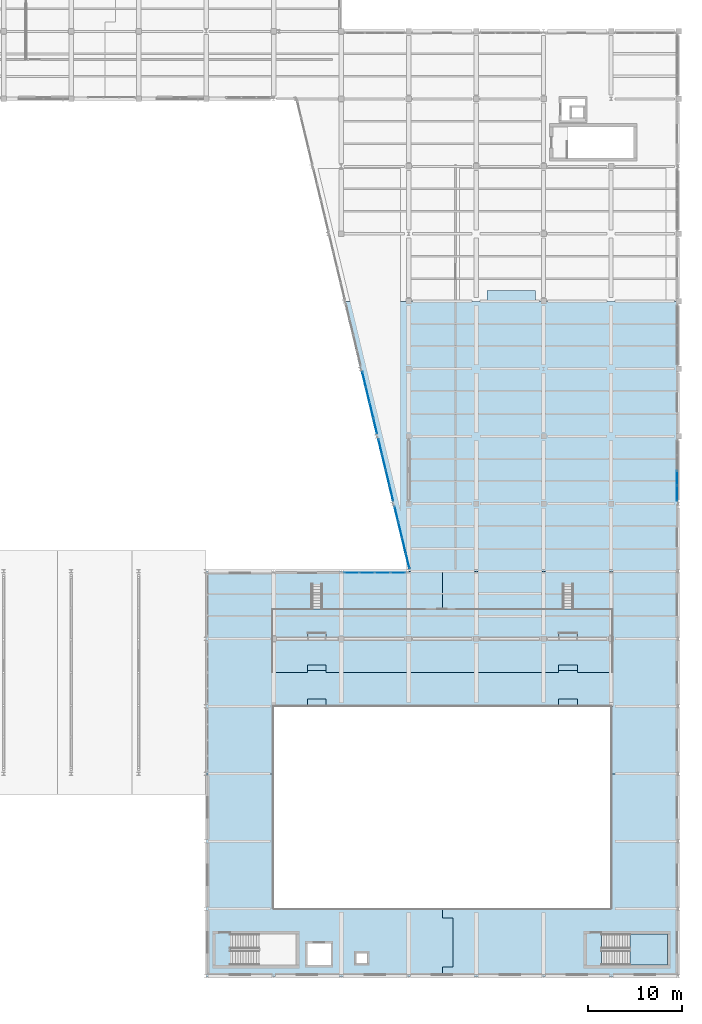
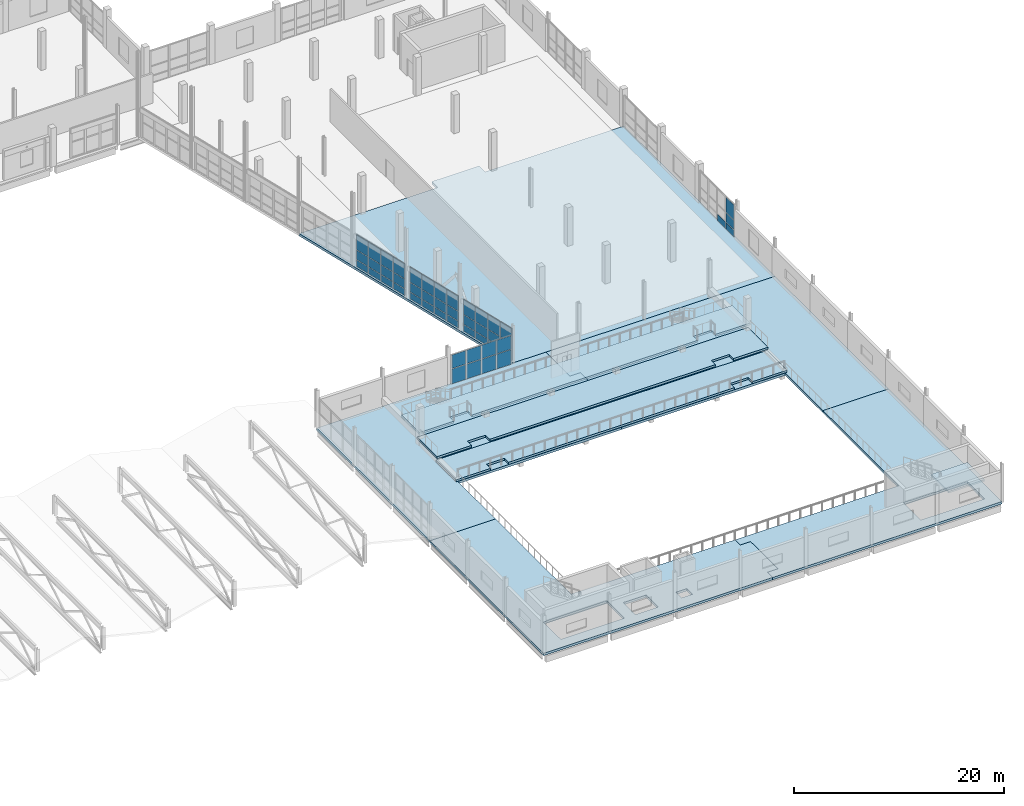
# One storey, part 78 of 123: 48 plates, 9 slabs, 6 elements without a shape of their own.
"""IFC4 building model written with IfcOpenShell, lengths in metres."""

from ifc_helpers import new_model, si_unit, direction, frame, origin, origin_2d, place, context, subcontext, project, spatial, polyline, rectangle, outline, extrude, material, layer, layer_set, type_object, element, aggregate, save


model = new_model("IFC4")

# Units and contexts
model_context = context("Model", 3, precision=1e-05, world=origin(), true_north=direction((0.0, 1.0)))
body_context = subcontext(model_context, "Body", "Model", "MODEL_VIEW")
ifc_project = project(units=[si_unit("LENGTHUNIT", "METRE"), si_unit("AREAUNIT", "SQUARE_METRE"), si_unit("VOLUMEUNIT", "CUBIC_METRE"), si_unit("PLANEANGLEUNIT", "RADIAN"), si_unit("MASSUNIT", "GRAM", prefix="KILO")], contexts=[model_context])

# Site, building, storey
site_placement = place(None, origin())
site = spatial("IfcSite", under=ifc_project, at=site_placement, CompositionType="ELEMENT")
building_placement = place(site_placement, origin())
building = spatial("IfcBuilding", under=site, at=building_placement, Name="Kalmorath City Hall", CompositionType="ELEMENT")
storey_placement = place(building_placement, frame((0.0, 0.0, 10.199951171875)))
storey = spatial("IfcBuildingStorey", under=building, at=storey_placement, Name="L02", CompositionType="ELEMENT", Elevation=10.199951171875)

# Slabs
ifc_material_1 = material(Name="Concrete C40/50", Category="concrete")
ifc_layer_1 = layer(ifc_material_1, 0.280029296875)
ifc_layer_set_1 = layer_set([ifc_layer_1], Name="Concrete C40/50")
slab_type_1 = type_object("IfcSlabType", Name="Concrete composite floor slab 280", PredefinedType="FLOOR", material=ifc_layer_set_1)
slab_1_placement = place(storey_placement, frame((0.0, 0.0, -0.280029296875)))
element("IfcSlab", 1, at=slab_1_placement, inside=storey, type_object=slab_type_1, Name="L02 Council Chamber Pavilion slab FS2-1", PredefinedType="FLOOR", context=body_context, shape_type="SweptSolid", body=[
    extrude(outline(polyline([(115.199951171875, 21.60009765625), (122.39990234375, 21.60009765625), (122.39990234375, 7.199951171875), (140.39990234375, 7.199951171875), (140.39990234375, 6.199951171875), (141.550048828125, 6.199951171875), (141.550048828125, 1.0), (140.39990234375, 1.0), (140.39990234375, 0.0), (115.199951171875, 0.0), (115.199951171875, 21.60009765625)]), holes=[polyline([(117.7900390625, 4.5), (117.7900390625, 1.199951171875), (124.800048828125, 1.199951171875), (124.800048828125, 4.5), (117.7900390625, 4.5)]), polyline([(128.5, 3.5), (126.0, 3.5), (126.0, 1.199951171875), (128.5, 1.199951171875), (128.5, 3.5)]), polyline([(131.199951171875, 1.39990234375), (132.39990234375, 1.39990234375), (132.39990234375, 2.47998046875), (131.199951171875, 2.47998046875), (131.199951171875, 1.39990234375)])]), origin(), (0.0, 0.0, 1.0), 0.280029296875),
])
slab_2_placement = place(storey_placement, frame((0.0, 0.0, -0.280029296875)))
element("IfcSlab", 2, at=slab_2_placement, inside=storey, type_object=slab_type_1, Name="L02 Council Chamber Pavilion slab FS2-2", PredefinedType="FLOOR", context=body_context, shape_type="SweptSolid", body=[
    extrude(outline(polyline([(140.39990234375, 0.0), (140.39990234375, 1.0), (141.550048828125, 1.0), (141.550048828125, 6.199951171875), (140.39990234375, 6.199951171875), (140.39990234375, 7.199951171875), (158.39990234375, 7.199951171875), (158.39990234375, 21.60009765625), (165.60009765625, 21.60009765625), (165.60009765625, 0.0), (140.39990234375, 0.0)]), holes=[polyline([(164.39990234375, 1.199951171875), (164.39990234375, 4.5), (157.389892578125, 4.5), (157.389892578125, 1.199951171875), (164.39990234375, 1.199951171875)])]), origin(), (0.0, 0.0, 1.0), 0.280029296875),
])
slab_3_placement = place(storey_placement, frame((0.0, 0.0, -0.280029296875)))
element("IfcSlab", 3, at=slab_3_placement, inside=storey, type_object=slab_type_1, Name="L02 Council Chamber Pavilion slab FS2-3", PredefinedType="FLOOR", context=body_context, shape_type="SweptSolid", body=[
    extrude(outline(polyline([(140.39990234375, 43.199951171875), (140.39990234375, 38.60009765625), (141.550048828125, 38.60009765625), (141.550048828125, 33.39990234375), (140.39990234375, 33.39990234375), (140.39990234375, 28.800048828125), (122.39990234375, 28.800048828125), (122.39990234375, 21.60009765625), (115.199951171875, 21.60009765625), (115.199951171875, 43.199951171875), (140.39990234375, 43.199951171875)])), origin(), (0.0, 0.0, 1.0), 0.280029296875),
])
slab_4_placement = place(storey_placement, frame((0.0, 0.0, -0.280029296875)))
element("IfcSlab", 4, at=slab_4_placement, inside=storey, type_object=slab_type_1, Name="L02 Council Chamber Pavilion slab FS2-4", PredefinedType="FLOOR", context=body_context, shape_type="SweptSolid", body=[
    extrude(outline(polyline([(158.39990234375, 21.60009765625), (158.39990234375, 28.800048828125), (140.39990234375, 28.800048828125), (140.39990234375, 33.39990234375), (141.550048828125, 33.39990234375), (141.550048828125, 38.60009765625), (140.39990234375, 38.60009765625), (140.39990234375, 43.199951171875), (165.60009765625, 43.199951171875), (165.60009765625, 21.60009765625), (158.39990234375, 21.60009765625)])), origin(), (0.0, 0.0, 1.0), 0.280029296875),
])
slab_5_placement = place(storey_placement, frame((0.0, 0.0, -0.280029296875)))
element("IfcSlab", 5, at=slab_5_placement, inside=storey, type_object=slab_type_1, Name="L02 Members Library Pavilion slab FS2-1", PredefinedType="FLOOR", context=body_context, shape_type="SweptSolid", body=[
    extrude(outline(polyline([(136.800048828125, 43.199951171875), (129.885498046875, 72.0), (145.142822265625, 72.0), (145.142822265625, 73.14990234375), (150.3427734375, 73.14990234375), (150.3427734375, 72.0), (165.60009765625, 72.0), (165.60009765625, 43.199951171875), (136.800048828125, 43.199951171875)])), origin(), (0.0, 0.0, 1.0), 0.280029296875),
])
ifc_material_2 = material(Name="Concrete C40/50", Category="concrete")
ifc_layer_2 = layer(ifc_material_2, 0.239990234375)
ifc_layer_set_2 = layer_set([ifc_layer_2], Name="Concrete C40/50")
slab_type_2 = type_object("IfcSlabType", Name="Concrete raked seating tier slab 240", PredefinedType="USERDEFINED", material=ifc_layer_set_2)
slab_6_placement = place(storey_placement, frame((0.0, 0.0, 0.010009765625)))
element("IfcSlab", 6, at=slab_6_placement, inside=storey, type_object=slab_type_2, Name="L02 Public Gallery raked seating tier T1", ObjectType="SEATING TIER", PredefinedType="USERDEFINED", context=body_context, shape_type="SweptSolid", body=[
    extrude(outline(polyline([(122.199951171875, 28.800048828125), (126.0, 28.800048828125), (126.0, 29.60009765625), (128.0, 29.60009765625), (128.0, 28.800048828125), (152.800048828125, 28.800048828125), (152.800048828125, 29.60009765625), (154.800048828125, 29.60009765625), (154.800048828125, 28.800048828125), (158.60009765625, 28.800048828125), (158.60009765625, 32.60009765625), (122.199951171875, 32.60009765625), (122.199951171875, 28.800048828125)])), origin(), (0.0, 0.0, 1.0), 0.239990234375),
])
slab_7_placement = place(storey_placement, frame((0.0, 0.0, 0.510009765625)))
element("IfcSlab", 7, at=slab_7_placement, inside=storey, type_object=slab_type_2, Name="L02 Public Gallery raked seating tier T2", ObjectType="SEATING TIER", PredefinedType="USERDEFINED", context=body_context, shape_type="SweptSolid", body=[
    extrude(outline(polyline([(122.199951171875, 32.39990234375), (126.0, 32.39990234375), (126.0, 33.199951171875), (128.0, 33.199951171875), (128.0, 32.39990234375), (152.800048828125, 32.39990234375), (152.800048828125, 33.199951171875), (154.800048828125, 33.199951171875), (154.800048828125, 32.39990234375), (158.60009765625, 32.39990234375), (158.60009765625, 36.199951171875), (122.199951171875, 36.199951171875), (122.199951171875, 32.39990234375)])), origin(), (0.0, 0.0, 1.0), 0.239990234375),
])
slab_8_placement = place(storey_placement, frame((0.0, 0.0, 1.260009765625)))
element("IfcSlab", 8, at=slab_8_placement, inside=storey, type_object=slab_type_2, Name="L02 Public Gallery raked seating tier T3", ObjectType="SEATING TIER", PredefinedType="USERDEFINED", context=body_context, shape_type="SweptSolid", body=[
    extrude(outline(polyline([(122.199951171875, 35.800048828125), (126.0, 35.800048828125), (126.0, 36.60009765625), (128.0, 36.60009765625), (128.0, 35.800048828125), (152.800048828125, 35.800048828125), (152.800048828125, 36.60009765625), (154.800048828125, 36.60009765625), (154.800048828125, 35.800048828125), (158.60009765625, 35.800048828125), (158.60009765625, 39.199951171875), (122.199951171875, 39.199951171875), (122.199951171875, 35.800048828125)])), origin(), (0.0, 0.0, 1.0), 0.239990234375),
])

# Stair, slab
ifc_material_3 = material(Name="Concrete C40/50", Category="concrete")
stair_type = type_object("IfcStairType", Name="Dogleg concrete exit stair 24R x 188mm W1550", PredefinedType="HALF_TURN_STAIR", material=ifc_material_3)
stair_placement = place(storey_placement, origin())
stair = element("IfcStair", 9, at=stair_placement, inside=storey, type_object=stair_type, Name="L02 Protected exit stair ST-7", PredefinedType="HALF_TURN_STAIR")
ifc_material_4 = material(Name="Concrete C40/50", Category="concrete")
ifc_layer_3 = layer(ifc_material_4, 0.199951171875)
ifc_layer_set_3 = layer_set([ifc_layer_3], Name="Concrete C40/50")
slab_type_3 = type_object("IfcSlabType", Name="Concrete stair half-landing slab 200", PredefinedType="LANDING", material=ifc_layer_set_3)
slab_9_placement = place(storey_placement, frame((0.0, 0.0, 2.050048828125)))
slab_9 = element("IfcSlab", 10, at=slab_9_placement, type_object=slab_type_3, Name="ST-7 landing 1", PredefinedType="LANDING", context=body_context, shape_type="SweptSolid", body=[
    extrude(outline(polyline([(160.429931640625, 1.199951171875), (164.39990234375, 1.199951171875), (164.39990234375, 4.5), (160.429931640625, 4.5), (160.429931640625, 1.199951171875)])), origin(), (0.0, 0.0, 1.0), 0.199951171875),
])
aggregate(stair, [slab_9])

# Curtain wall, plates
ifc_material_5 = material(Name="Anodised aluminium and laminated glass", Category="aluminium")
curtain_wall_type_1 = type_object("IfcCurtainWallType", Name="Unitised hurricane curtain wall 6544x3835 M1850", PredefinedType="NOTDEFINED", material=ifc_material_5)
curtain_wall_1_placement = place(storey_placement, origin())
curtain_wall_1 = element("IfcCurtainWall", 11, at=curtain_wall_1_placement, inside=storey, type_object=curtain_wall_type_1, Name="L02 curtain wall CW-65X38M18 #120", PredefinedType="NOTDEFINED")
ifc_material_6 = material(Name="Hurricane laminated low-E glass", Category="glass")
ifc_layer_4 = layer(ifc_material_6, 0.035888671875)
ifc_layer_set_4 = layer_set([ifc_layer_4], Name="Hurricane laminated low-E glass")
plate_type = type_object("IfcPlateType", Name="Library acoustic low-E glazed panel 36", PredefinedType="CURTAIN_PANEL", material=ifc_layer_set_4)
plate_1_placement = place(storey_placement, frame((165.43994140625, 53.120361328125, 0.06005859375), z_axis=(0.0, 0.0, 1.0), x_axis=(0.0, -1.0, 0.0)))
plate_1 = element("IfcPlate", 12, at=plate_1_placement, type_object=plate_type, Name="CW-65X38M18 panel 3.1", PredefinedType="CURTAIN_PANEL", context=body_context, shape_type="SweptSolid", body=[
    extrude(rectangle(XDim=1.560791015625, YDim=0.035888671875, at=origin_2d()), origin(), (0.0, 0.0, 1.0), 0.760009765625),
])
plate_2_placement = place(storey_placement, frame((165.43994140625, 51.503173828125, 0.06005859375), z_axis=(0.0, 0.0, 1.0), x_axis=(0.0, -1.0, 0.0)))
plate_2 = element("IfcPlate", 13, at=plate_2_placement, type_object=plate_type, Name="CW-65X38M18 panel 4.1", PredefinedType="CURTAIN_PANEL", context=body_context, shape_type="SweptSolid", body=[
    extrude(rectangle(XDim=1.5234375, YDim=0.035888671875, at=origin_2d()), origin(), (0.0, 0.0, 1.0), 0.760009765625),
])
plate_3_placement = place(storey_placement, frame((165.43994140625, 51.503173828125, 0.880126953125), z_axis=(0.0, 0.0, 1.0), x_axis=(0.0, -1.0, 0.0)))
plate_3 = element("IfcPlate", 14, at=plate_3_placement, type_object=plate_type, Name="CW-65X38M18 panel 4.2", PredefinedType="CURTAIN_PANEL", context=body_context, shape_type="SweptSolid", body=[
    extrude(rectangle(XDim=1.5234375, YDim=0.035888671875, at=origin_2d()), origin(), (0.0, 0.0, 1.0), 1.083984375),
])
plate_4_placement = place(storey_placement, frame((165.43994140625, 51.503173828125, 2.024169921875), z_axis=(0.0, 0.0, 1.0), x_axis=(0.0, -1.0, 0.0)))
plate_4 = element("IfcPlate", 15, at=plate_4_placement, type_object=plate_type, Name="CW-65X38M18 panel 4.3", PredefinedType="CURTAIN_PANEL", context=body_context, shape_type="SweptSolid", body=[
    extrude(rectangle(XDim=1.5234375, YDim=0.035888671875, at=origin_2d()), origin(), (0.0, 0.0, 1.0), 1.7509765625),
])
aggregate(curtain_wall_1, [plate_1, plate_2, plate_3, plate_4])

ifc_material_7 = material(Name="Anodised aluminium and laminated glass", Category="aluminium")
curtain_wall_type_2 = type_object("IfcCurtainWallType", Name="Unitised hurricane curtain wall 6656x3471 M1850", PredefinedType="NOTDEFINED", material=ifc_material_7)
curtain_wall_2_placement = place(storey_placement, origin())
curtain_wall_2 = element("IfcCurtainWall", 16, at=curtain_wall_2_placement, inside=storey, type_object=curtain_wall_type_2, Name="L02 curtain wall CW-67X35M18 #124", PredefinedType="NOTDEFINED")
plate_5_placement = place(storey_placement, frame((130.72509765625, 43.0400390625, 0.06005859375), z_axis=(0.0, 0.0, 1.0), x_axis=(1.0, 0.0, 0.0)))
plate_5 = element("IfcPlate", 17, at=plate_5_placement, type_object=plate_type, Name="CW-67X35M18 panel 1.1", PredefinedType="CURTAIN_PANEL", context=body_context, shape_type="SweptSolid", body=[
    extrude(rectangle(XDim=1.55126953125, YDim=0.035888671875, at=origin_2d()), origin(), (0.0, 0.0, 1.0), 1.715087890625),
])
plate_6_placement = place(storey_placement, frame((130.72509765625, 43.0400390625, 1.8349609375), z_axis=(0.0, 0.0, 1.0), x_axis=(1.0, 0.0, 0.0)))
plate_6 = element("IfcPlate", 18, at=plate_6_placement, type_object=plate_type, Name="CW-67X35M18 panel 1.2", PredefinedType="CURTAIN_PANEL", context=body_context, shape_type="SweptSolid", body=[
    extrude(rectangle(XDim=1.55126953125, YDim=0.035888671875, at=origin_2d()), origin(), (0.0, 0.0, 1.0), 1.575927734375),
])
plate_7_placement = place(storey_placement, frame((132.370361328125, 43.0400390625, 0.06005859375), z_axis=(0.0, 0.0, 1.0), x_axis=(1.0, 0.0, 0.0)))
plate_7 = element("IfcPlate", 19, at=plate_7_placement, type_object=plate_type, Name="CW-67X35M18 panel 2.1", PredefinedType="CURTAIN_PANEL", context=body_context, shape_type="SweptSolid", body=[
    extrude(rectangle(XDim=1.5888671875, YDim=0.035888671875, at=origin_2d()), origin(), (0.0, 0.0, 1.0), 1.715087890625),
])
plate_8_placement = place(storey_placement, frame((132.370361328125, 43.0400390625, 1.8349609375), z_axis=(0.0, 0.0, 1.0), x_axis=(1.0, 0.0, 0.0)))
plate_8 = element("IfcPlate", 20, at=plate_8_placement, type_object=plate_type, Name="CW-67X35M18 panel 2.2", PredefinedType="CURTAIN_PANEL", context=body_context, shape_type="SweptSolid", body=[
    extrude(rectangle(XDim=1.5888671875, YDim=0.035888671875, at=origin_2d()), origin(), (0.0, 0.0, 1.0), 1.575927734375),
])
plate_9_placement = place(storey_placement, frame((134.0341796875, 43.0400390625, 0.06005859375), z_axis=(0.0, 0.0, 1.0), x_axis=(1.0, 0.0, 0.0)))
plate_9 = element("IfcPlate", 21, at=plate_9_placement, type_object=plate_type, Name="CW-67X35M18 panel 3.1", PredefinedType="CURTAIN_PANEL", context=body_context, shape_type="SweptSolid", body=[
    extrude(rectangle(XDim=1.5888671875, YDim=0.035888671875, at=origin_2d()), origin(), (0.0, 0.0, 1.0), 1.715087890625),
])
plate_10_placement = place(storey_placement, frame((134.0341796875, 43.0400390625, 1.8349609375), z_axis=(0.0, 0.0, 1.0), x_axis=(1.0, 0.0, 0.0)))
plate_10 = element("IfcPlate", 22, at=plate_10_placement, type_object=plate_type, Name="CW-67X35M18 panel 3.2", PredefinedType="CURTAIN_PANEL", context=body_context, shape_type="SweptSolid", body=[
    extrude(rectangle(XDim=1.5888671875, YDim=0.035888671875, at=origin_2d()), origin(), (0.0, 0.0, 1.0), 1.575927734375),
])
plate_11_placement = place(storey_placement, frame((135.67919921875, 43.0400390625, 0.06005859375), z_axis=(0.0, 0.0, 1.0), x_axis=(1.0, 0.0, 0.0)))
plate_11 = element("IfcPlate", 23, at=plate_11_placement, type_object=plate_type, Name="CW-67X35M18 panel 4.1", PredefinedType="CURTAIN_PANEL", context=body_context, shape_type="SweptSolid", body=[
    extrude(rectangle(XDim=1.55126953125, YDim=0.035888671875, at=origin_2d()), origin(), (0.0, 0.0, 1.0), 1.715087890625),
])
plate_12_placement = place(storey_placement, frame((135.67919921875, 43.0400390625, 1.8349609375), z_axis=(0.0, 0.0, 1.0), x_axis=(1.0, 0.0, 0.0)))
plate_12 = element("IfcPlate", 24, at=plate_12_placement, type_object=plate_type, Name="CW-67X35M18 panel 4.2", PredefinedType="CURTAIN_PANEL", context=body_context, shape_type="SweptSolid", body=[
    extrude(rectangle(XDim=1.55126953125, YDim=0.035888671875, at=origin_2d()), origin(), (0.0, 0.0, 1.0), 1.575927734375),
])
aggregate(curtain_wall_2, [plate_5, plate_6, plate_7, plate_8, plate_9, plate_10, plate_11, plate_12])

ifc_material_8 = material(Name="Anodised aluminium and laminated glass", Category="aluminium")
curtain_wall_type_3 = type_object("IfcCurtainWallType", Name="Unitised hurricane curtain wall 6849x3835 M1850", PredefinedType="NOTDEFINED", material=ifc_material_8)
curtain_wall_3_placement = place(storey_placement, origin())
curtain_wall_3 = element("IfcCurtainWall", 25, at=curtain_wall_3_placement, inside=storey, type_object=curtain_wall_type_3, Name="L02 curtain wall CW-68X38M18 #125", PredefinedType="NOTDEFINED")
plate_13_placement = place(storey_placement, frame((136.695556640625, 44.32080078125, 0.06005859375), z_axis=(0.0, 0.0, 1.0), x_axis=(-0.233455781305, 0.97236741933, 0.0)))
plate_13 = element("IfcPlate", 26, at=plate_13_placement, type_object=plate_type, Name="CW-68X38M18 panel 1.1", PredefinedType="CURTAIN_PANEL", context=body_context, shape_type="SweptSolid", body=[
    extrude(rectangle(XDim=1.599853515625, YDim=0.035888671875, at=origin_2d()), origin(), (0.0, 0.0, 1.0), 0.760009765625),
])
plate_14_placement = place(storey_placement, frame((136.695556640625, 44.32080078125, 0.880126953125), z_axis=(0.0, 0.0, 1.0), x_axis=(-0.233455781305, 0.97236741933, 0.0)))
plate_14 = element("IfcPlate", 27, at=plate_14_placement, type_object=plate_type, Name="CW-68X38M18 panel 1.2", PredefinedType="CURTAIN_PANEL", context=body_context, shape_type="SweptSolid", body=[
    extrude(rectangle(XDim=1.599853515625, YDim=0.035888671875, at=origin_2d()), origin(), (0.0, 0.0, 1.0), 1.083984375),
])
plate_15_placement = place(storey_placement, frame((136.695556640625, 44.32080078125, 2.024169921875), z_axis=(0.0, 0.0, 1.0), x_axis=(-0.233455781305, 0.97236741933, 0.0)))
plate_15 = element("IfcPlate", 28, at=plate_15_placement, type_object=plate_type, Name="CW-68X38M18 panel 1.3", PredefinedType="CURTAIN_PANEL", context=body_context, shape_type="SweptSolid", body=[
    extrude(rectangle(XDim=1.599853515625, YDim=0.035888671875, at=origin_2d()), origin(), (0.0, 0.0, 1.0), 1.7509765625),
])
plate_16_placement = place(storey_placement, frame((136.300048828125, 45.967529296875, 0.06005859375), z_axis=(0.0, 0.0, 1.0), x_axis=(-0.233455781305, 0.97236741933, 0.0)))
plate_16 = element("IfcPlate", 29, at=plate_16_placement, type_object=plate_type, Name="CW-68X38M18 panel 2.1", PredefinedType="CURTAIN_PANEL", context=body_context, shape_type="SweptSolid", body=[
    extrude(rectangle(XDim=1.63720703125, YDim=0.035888671875, at=origin_2d()), origin(), (0.0, 0.0, 1.0), 0.760009765625),
])
plate_17_placement = place(storey_placement, frame((136.300048828125, 45.967529296875, 0.880126953125), z_axis=(0.0, 0.0, 1.0), x_axis=(-0.233455781305, 0.97236741933, 0.0)))
plate_17 = element("IfcPlate", 30, at=plate_17_placement, type_object=plate_type, Name="CW-68X38M18 panel 2.2", PredefinedType="CURTAIN_PANEL", context=body_context, shape_type="SweptSolid", body=[
    extrude(rectangle(XDim=1.63720703125, YDim=0.035888671875, at=origin_2d()), origin(), (0.0, 0.0, 1.0), 1.083984375),
])
plate_18_placement = place(storey_placement, frame((136.300048828125, 45.967529296875, 2.024169921875), z_axis=(0.0, 0.0, 1.0), x_axis=(-0.233455781305, 0.97236741933, 0.0)))
plate_18 = element("IfcPlate", 31, at=plate_18_placement, type_object=plate_type, Name="CW-68X38M18 panel 2.3", PredefinedType="CURTAIN_PANEL", context=body_context, shape_type="SweptSolid", body=[
    extrude(rectangle(XDim=1.63720703125, YDim=0.035888671875, at=origin_2d()), origin(), (0.0, 0.0, 1.0), 1.7509765625),
])
plate_19_placement = place(storey_placement, frame((135.900390625, 47.632568359375, 0.06005859375), z_axis=(0.0, 0.0, 1.0), x_axis=(-0.233455781305, 0.97236741933, 0.0)))
plate_19 = element("IfcPlate", 32, at=plate_19_placement, type_object=plate_type, Name="CW-68X38M18 panel 3.1", PredefinedType="CURTAIN_PANEL", context=body_context, shape_type="SweptSolid", body=[
    extrude(rectangle(XDim=1.63720703125, YDim=0.035888671875, at=origin_2d()), origin(), (0.0, 0.0, 1.0), 0.760009765625),
])
plate_20_placement = place(storey_placement, frame((135.900390625, 47.632568359375, 0.880126953125), z_axis=(0.0, 0.0, 1.0), x_axis=(-0.233455781305, 0.97236741933, 0.0)))
plate_20 = element("IfcPlate", 33, at=plate_20_placement, type_object=plate_type, Name="CW-68X38M18 panel 3.2", PredefinedType="CURTAIN_PANEL", context=body_context, shape_type="SweptSolid", body=[
    extrude(rectangle(XDim=1.63720703125, YDim=0.035888671875, at=origin_2d()), origin(), (0.0, 0.0, 1.0), 1.083984375),
])
plate_21_placement = place(storey_placement, frame((135.900390625, 47.632568359375, 2.024169921875), z_axis=(0.0, 0.0, 1.0), x_axis=(-0.233455781305, 0.97236741933, 0.0)))
plate_21 = element("IfcPlate", 34, at=plate_21_placement, type_object=plate_type, Name="CW-68X38M18 panel 3.3", PredefinedType="CURTAIN_PANEL", context=body_context, shape_type="SweptSolid", body=[
    extrude(rectangle(XDim=1.63720703125, YDim=0.035888671875, at=origin_2d()), origin(), (0.0, 0.0, 1.0), 1.7509765625),
])
plate_22_placement = place(storey_placement, frame((135.5048828125, 49.279296875, 0.06005859375), z_axis=(0.0, 0.0, 1.0), x_axis=(-0.233455781305, 0.97236741933, 0.0)))
plate_22 = element("IfcPlate", 35, at=plate_22_placement, type_object=plate_type, Name="CW-68X38M18 panel 4.1", PredefinedType="CURTAIN_PANEL", context=body_context, shape_type="SweptSolid", body=[
    extrude(rectangle(XDim=1.599853515625, YDim=0.035888671875, at=origin_2d()), origin(), (0.0, 0.0, 1.0), 0.760009765625),
])
plate_23_placement = place(storey_placement, frame((135.5048828125, 49.279296875, 0.880126953125), z_axis=(0.0, 0.0, 1.0), x_axis=(-0.233455781305, 0.97236741933, 0.0)))
plate_23 = element("IfcPlate", 36, at=plate_23_placement, type_object=plate_type, Name="CW-68X38M18 panel 4.2", PredefinedType="CURTAIN_PANEL", context=body_context, shape_type="SweptSolid", body=[
    extrude(rectangle(XDim=1.599853515625, YDim=0.035888671875, at=origin_2d()), origin(), (0.0, 0.0, 1.0), 1.083984375),
])
plate_24_placement = place(storey_placement, frame((135.5048828125, 49.279296875, 2.024169921875), z_axis=(0.0, 0.0, 1.0), x_axis=(-0.233455781305, 0.97236741933, 0.0)))
plate_24 = element("IfcPlate", 37, at=plate_24_placement, type_object=plate_type, Name="CW-68X38M18 panel 4.3", PredefinedType="CURTAIN_PANEL", context=body_context, shape_type="SweptSolid", body=[
    extrude(rectangle(XDim=1.599853515625, YDim=0.035888671875, at=origin_2d()), origin(), (0.0, 0.0, 1.0), 1.7509765625),
])
aggregate(curtain_wall_3, [plate_13, plate_14, plate_15, plate_16, plate_17, plate_18, plate_19, plate_20, plate_21, plate_22, plate_23, plate_24])

curtain_wall_4_placement = place(storey_placement, origin())
curtain_wall_4 = element("IfcCurtainWall", 38, at=curtain_wall_4_placement, inside=storey, type_object=curtain_wall_type_3, Name="L02 curtain wall CW-68X38M18 #126", PredefinedType="NOTDEFINED")
plate_25_placement = place(storey_placement, frame((134.966796875, 51.520751953125, 0.06005859375), z_axis=(0.0, 0.0, 1.0), x_axis=(-0.233455781305, 0.97236741933, 0.0)))
plate_25 = element("IfcPlate", 39, at=plate_25_placement, type_object=plate_type, Name="CW-68X38M18 panel 1.1", PredefinedType="CURTAIN_PANEL", context=body_context, shape_type="SweptSolid", body=[
    extrude(rectangle(XDim=1.599853515625, YDim=0.035888671875, at=origin_2d()), origin(), (0.0, 0.0, 1.0), 0.760009765625),
])
plate_26_placement = place(storey_placement, frame((134.966796875, 51.520751953125, 0.880126953125), z_axis=(0.0, 0.0, 1.0), x_axis=(-0.233455781305, 0.97236741933, 0.0)))
plate_26 = element("IfcPlate", 40, at=plate_26_placement, type_object=plate_type, Name="CW-68X38M18 panel 1.2", PredefinedType="CURTAIN_PANEL", context=body_context, shape_type="SweptSolid", body=[
    extrude(rectangle(XDim=1.599853515625, YDim=0.035888671875, at=origin_2d()), origin(), (0.0, 0.0, 1.0), 1.083984375),
])
plate_27_placement = place(storey_placement, frame((134.966796875, 51.520751953125, 2.024169921875), z_axis=(0.0, 0.0, 1.0), x_axis=(-0.233455781305, 0.97236741933, 0.0)))
plate_27 = element("IfcPlate", 41, at=plate_27_placement, type_object=plate_type, Name="CW-68X38M18 panel 1.3", PredefinedType="CURTAIN_PANEL", context=body_context, shape_type="SweptSolid", body=[
    extrude(rectangle(XDim=1.599853515625, YDim=0.035888671875, at=origin_2d()), origin(), (0.0, 0.0, 1.0), 1.7509765625),
])
plate_28_placement = place(storey_placement, frame((134.571533203125, 53.16748046875, 0.06005859375), z_axis=(0.0, 0.0, 1.0), x_axis=(-0.233455781305, 0.97236741933, 0.0)))
plate_28 = element("IfcPlate", 42, at=plate_28_placement, type_object=plate_type, Name="CW-68X38M18 panel 2.1", PredefinedType="CURTAIN_PANEL", context=body_context, shape_type="SweptSolid", body=[
    extrude(rectangle(XDim=1.63720703125, YDim=0.035888671875, at=origin_2d()), origin(), (0.0, 0.0, 1.0), 0.760009765625),
])
plate_29_placement = place(storey_placement, frame((134.571533203125, 53.16748046875, 0.880126953125), z_axis=(0.0, 0.0, 1.0), x_axis=(-0.233455781305, 0.97236741933, 0.0)))
plate_29 = element("IfcPlate", 43, at=plate_29_placement, type_object=plate_type, Name="CW-68X38M18 panel 2.2", PredefinedType="CURTAIN_PANEL", context=body_context, shape_type="SweptSolid", body=[
    extrude(rectangle(XDim=1.63720703125, YDim=0.035888671875, at=origin_2d()), origin(), (0.0, 0.0, 1.0), 1.083984375),
])
plate_30_placement = place(storey_placement, frame((134.571533203125, 53.16748046875, 2.024169921875), z_axis=(0.0, 0.0, 1.0), x_axis=(-0.233455781305, 0.97236741933, 0.0)))
plate_30 = element("IfcPlate", 44, at=plate_30_placement, type_object=plate_type, Name="CW-68X38M18 panel 2.3", PredefinedType="CURTAIN_PANEL", context=body_context, shape_type="SweptSolid", body=[
    extrude(rectangle(XDim=1.63720703125, YDim=0.035888671875, at=origin_2d()), origin(), (0.0, 0.0, 1.0), 1.7509765625),
])
plate_31_placement = place(storey_placement, frame((134.171630859375, 54.83251953125, 0.06005859375), z_axis=(0.0, 0.0, 1.0), x_axis=(-0.233455781305, 0.97236741933, 0.0)))
plate_31 = element("IfcPlate", 45, at=plate_31_placement, type_object=plate_type, Name="CW-68X38M18 panel 3.1", PredefinedType="CURTAIN_PANEL", context=body_context, shape_type="SweptSolid", body=[
    extrude(rectangle(XDim=1.63720703125, YDim=0.035888671875, at=origin_2d()), origin(), (0.0, 0.0, 1.0), 0.760009765625),
])
plate_32_placement = place(storey_placement, frame((134.171630859375, 54.83251953125, 0.880126953125), z_axis=(0.0, 0.0, 1.0), x_axis=(-0.233455781305, 0.97236741933, 0.0)))
plate_32 = element("IfcPlate", 46, at=plate_32_placement, type_object=plate_type, Name="CW-68X38M18 panel 3.2", PredefinedType="CURTAIN_PANEL", context=body_context, shape_type="SweptSolid", body=[
    extrude(rectangle(XDim=1.63720703125, YDim=0.035888671875, at=origin_2d()), origin(), (0.0, 0.0, 1.0), 1.083984375),
])
plate_33_placement = place(storey_placement, frame((134.171630859375, 54.83251953125, 2.024169921875), z_axis=(0.0, 0.0, 1.0), x_axis=(-0.233455781305, 0.97236741933, 0.0)))
plate_33 = element("IfcPlate", 47, at=plate_33_placement, type_object=plate_type, Name="CW-68X38M18 panel 3.3", PredefinedType="CURTAIN_PANEL", context=body_context, shape_type="SweptSolid", body=[
    extrude(rectangle(XDim=1.63720703125, YDim=0.035888671875, at=origin_2d()), origin(), (0.0, 0.0, 1.0), 1.7509765625),
])
plate_34_placement = place(storey_placement, frame((133.7763671875, 56.479248046875, 0.06005859375), z_axis=(0.0, 0.0, 1.0), x_axis=(-0.233455781305, 0.97236741933, 0.0)))
plate_34 = element("IfcPlate", 48, at=plate_34_placement, type_object=plate_type, Name="CW-68X38M18 panel 4.1", PredefinedType="CURTAIN_PANEL", context=body_context, shape_type="SweptSolid", body=[
    extrude(rectangle(XDim=1.599853515625, YDim=0.035888671875, at=origin_2d()), origin(), (0.0, 0.0, 1.0), 0.760009765625),
])
plate_35_placement = place(storey_placement, frame((133.7763671875, 56.479248046875, 0.880126953125), z_axis=(0.0, 0.0, 1.0), x_axis=(-0.233455781305, 0.97236741933, 0.0)))
plate_35 = element("IfcPlate", 49, at=plate_35_placement, type_object=plate_type, Name="CW-68X38M18 panel 4.2", PredefinedType="CURTAIN_PANEL", context=body_context, shape_type="SweptSolid", body=[
    extrude(rectangle(XDim=1.599853515625, YDim=0.035888671875, at=origin_2d()), origin(), (0.0, 0.0, 1.0), 1.083984375),
])
plate_36_placement = place(storey_placement, frame((133.7763671875, 56.479248046875, 2.024169921875), z_axis=(0.0, 0.0, 1.0), x_axis=(-0.233455781305, 0.97236741933, 0.0)))
plate_36 = element("IfcPlate", 50, at=plate_36_placement, type_object=plate_type, Name="CW-68X38M18 panel 4.3", PredefinedType="CURTAIN_PANEL", context=body_context, shape_type="SweptSolid", body=[
    extrude(rectangle(XDim=1.599853515625, YDim=0.035888671875, at=origin_2d()), origin(), (0.0, 0.0, 1.0), 1.7509765625),
])
aggregate(curtain_wall_4, [plate_25, plate_26, plate_27, plate_28, plate_29, plate_30, plate_31, plate_32, plate_33, plate_34, plate_35, plate_36])

curtain_wall_5_placement = place(storey_placement, origin())
curtain_wall_5 = element("IfcCurtainWall", 51, at=curtain_wall_5_placement, inside=storey, type_object=curtain_wall_type_3, Name="L02 curtain wall CW-68X38M18 #127", PredefinedType="NOTDEFINED")
plate_37_placement = place(storey_placement, frame((133.23828125, 58.720703125, 0.06005859375), z_axis=(0.0, 0.0, 1.0), x_axis=(-0.233455781305, 0.97236741933, 0.0)))
plate_37 = element("IfcPlate", 52, at=plate_37_placement, type_object=plate_type, Name="CW-68X38M18 panel 1.1", PredefinedType="CURTAIN_PANEL", context=body_context, shape_type="SweptSolid", body=[
    extrude(rectangle(XDim=1.599853515625, YDim=0.035888671875, at=origin_2d()), origin(), (0.0, 0.0, 1.0), 0.760009765625),
])
plate_38_placement = place(storey_placement, frame((133.23828125, 58.720703125, 0.880126953125), z_axis=(0.0, 0.0, 1.0), x_axis=(-0.233455781305, 0.97236741933, 0.0)))
plate_38 = element("IfcPlate", 53, at=plate_38_placement, type_object=plate_type, Name="CW-68X38M18 panel 1.2", PredefinedType="CURTAIN_PANEL", context=body_context, shape_type="SweptSolid", body=[
    extrude(rectangle(XDim=1.599853515625, YDim=0.035888671875, at=origin_2d()), origin(), (0.0, 0.0, 1.0), 1.083984375),
])
plate_39_placement = place(storey_placement, frame((133.23828125, 58.720703125, 2.024169921875), z_axis=(0.0, 0.0, 1.0), x_axis=(-0.233455781305, 0.97236741933, 0.0)))
plate_39 = element("IfcPlate", 54, at=plate_39_placement, type_object=plate_type, Name="CW-68X38M18 panel 1.3", PredefinedType="CURTAIN_PANEL", context=body_context, shape_type="SweptSolid", body=[
    extrude(rectangle(XDim=1.599853515625, YDim=0.035888671875, at=origin_2d()), origin(), (0.0, 0.0, 1.0), 1.7509765625),
])
plate_40_placement = place(storey_placement, frame((132.8427734375, 60.367431640625, 0.06005859375), z_axis=(0.0, 0.0, 1.0), x_axis=(-0.233455781305, 0.97236741933, 0.0)))
plate_40 = element("IfcPlate", 55, at=plate_40_placement, type_object=plate_type, Name="CW-68X38M18 panel 2.1", PredefinedType="CURTAIN_PANEL", context=body_context, shape_type="SweptSolid", body=[
    extrude(rectangle(XDim=1.63720703125, YDim=0.035888671875, at=origin_2d()), origin(), (0.0, 0.0, 1.0), 0.760009765625),
])
plate_41_placement = place(storey_placement, frame((132.8427734375, 60.367431640625, 0.880126953125), z_axis=(0.0, 0.0, 1.0), x_axis=(-0.233455781305, 0.97236741933, 0.0)))
plate_41 = element("IfcPlate", 56, at=plate_41_placement, type_object=plate_type, Name="CW-68X38M18 panel 2.2", PredefinedType="CURTAIN_PANEL", context=body_context, shape_type="SweptSolid", body=[
    extrude(rectangle(XDim=1.63720703125, YDim=0.035888671875, at=origin_2d()), origin(), (0.0, 0.0, 1.0), 1.083984375),
])
plate_42_placement = place(storey_placement, frame((132.8427734375, 60.367431640625, 2.024169921875), z_axis=(0.0, 0.0, 1.0), x_axis=(-0.233455781305, 0.97236741933, 0.0)))
plate_42 = element("IfcPlate", 57, at=plate_42_placement, type_object=plate_type, Name="CW-68X38M18 panel 2.3", PredefinedType="CURTAIN_PANEL", context=body_context, shape_type="SweptSolid", body=[
    extrude(rectangle(XDim=1.63720703125, YDim=0.035888671875, at=origin_2d()), origin(), (0.0, 0.0, 1.0), 1.7509765625),
])
plate_43_placement = place(storey_placement, frame((132.443115234375, 62.032470703125, 0.06005859375), z_axis=(0.0, 0.0, 1.0), x_axis=(-0.233455781305, 0.97236741933, 0.0)))
plate_43 = element("IfcPlate", 58, at=plate_43_placement, type_object=plate_type, Name="CW-68X38M18 panel 3.1", PredefinedType="CURTAIN_PANEL", context=body_context, shape_type="SweptSolid", body=[
    extrude(rectangle(XDim=1.63720703125, YDim=0.035888671875, at=origin_2d()), origin(), (0.0, 0.0, 1.0), 0.760009765625),
])
plate_44_placement = place(storey_placement, frame((132.443115234375, 62.032470703125, 0.880126953125), z_axis=(0.0, 0.0, 1.0), x_axis=(-0.233455781305, 0.97236741933, 0.0)))
plate_44 = element("IfcPlate", 59, at=plate_44_placement, type_object=plate_type, Name="CW-68X38M18 panel 3.2", PredefinedType="CURTAIN_PANEL", context=body_context, shape_type="SweptSolid", body=[
    extrude(rectangle(XDim=1.63720703125, YDim=0.035888671875, at=origin_2d()), origin(), (0.0, 0.0, 1.0), 1.083984375),
])
plate_45_placement = place(storey_placement, frame((132.443115234375, 62.032470703125, 2.024169921875), z_axis=(0.0, 0.0, 1.0), x_axis=(-0.233455781305, 0.97236741933, 0.0)))
plate_45 = element("IfcPlate", 60, at=plate_45_placement, type_object=plate_type, Name="CW-68X38M18 panel 3.3", PredefinedType="CURTAIN_PANEL", context=body_context, shape_type="SweptSolid", body=[
    extrude(rectangle(XDim=1.63720703125, YDim=0.035888671875, at=origin_2d()), origin(), (0.0, 0.0, 1.0), 1.7509765625),
])
plate_46_placement = place(storey_placement, frame((132.0478515625, 63.67919921875, 0.06005859375), z_axis=(0.0, 0.0, 1.0), x_axis=(-0.233455781305, 0.97236741933, 0.0)))
plate_46 = element("IfcPlate", 61, at=plate_46_placement, type_object=plate_type, Name="CW-68X38M18 panel 4.1", PredefinedType="CURTAIN_PANEL", context=body_context, shape_type="SweptSolid", body=[
    extrude(rectangle(XDim=1.599853515625, YDim=0.035888671875, at=origin_2d()), origin(), (0.0, 0.0, 1.0), 0.760009765625),
])
plate_47_placement = place(storey_placement, frame((132.0478515625, 63.67919921875, 0.880126953125), z_axis=(0.0, 0.0, 1.0), x_axis=(-0.233455781305, 0.97236741933, 0.0)))
plate_47 = element("IfcPlate", 62, at=plate_47_placement, type_object=plate_type, Name="CW-68X38M18 panel 4.2", PredefinedType="CURTAIN_PANEL", context=body_context, shape_type="SweptSolid", body=[
    extrude(rectangle(XDim=1.599853515625, YDim=0.035888671875, at=origin_2d()), origin(), (0.0, 0.0, 1.0), 1.083984375),
])
plate_48_placement = place(storey_placement, frame((132.0478515625, 63.67919921875, 2.024169921875), z_axis=(0.0, 0.0, 1.0), x_axis=(-0.233455781305, 0.97236741933, 0.0)))
plate_48 = element("IfcPlate", 63, at=plate_48_placement, type_object=plate_type, Name="CW-68X38M18 panel 4.3", PredefinedType="CURTAIN_PANEL", context=body_context, shape_type="SweptSolid", body=[
    extrude(rectangle(XDim=1.599853515625, YDim=0.035888671875, at=origin_2d()), origin(), (0.0, 0.0, 1.0), 1.7509765625),
])
aggregate(curtain_wall_5, [plate_37, plate_38, plate_39, plate_40, plate_41, plate_42, plate_43, plate_44, plate_45, plate_46, plate_47, plate_48])

save(model, "model.ifc")
